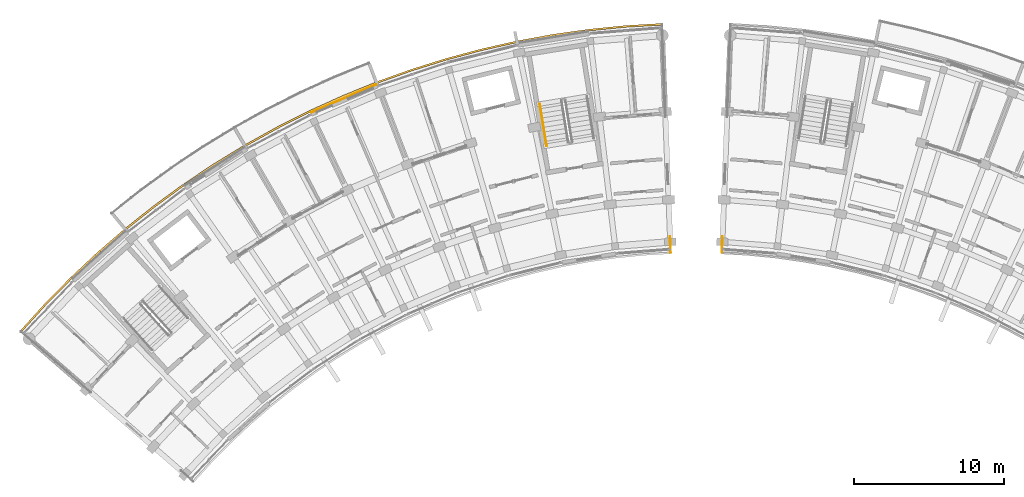
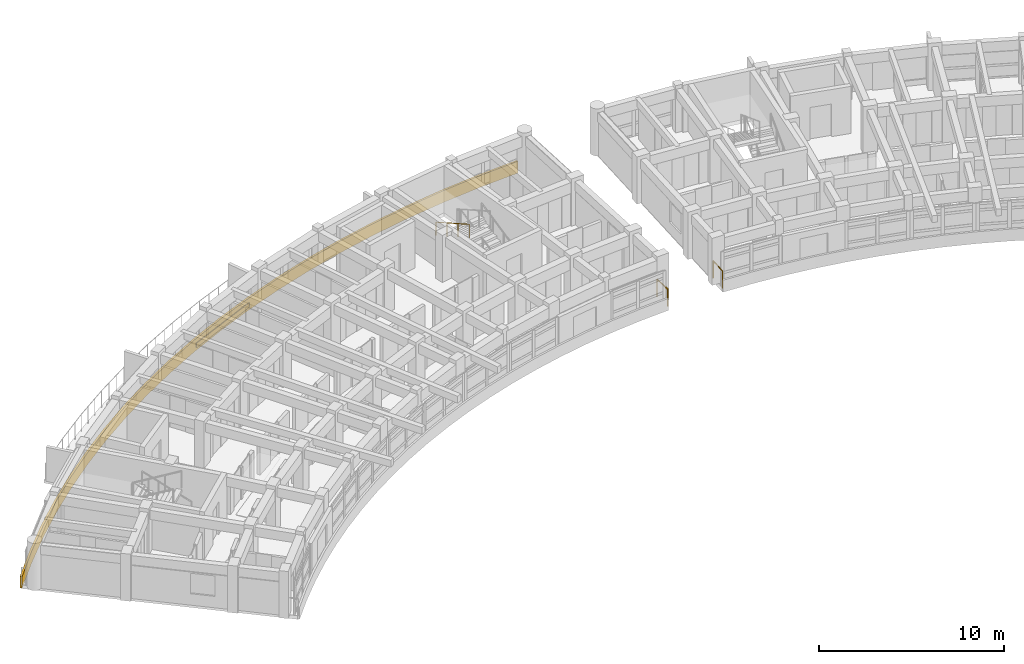
# One storey, part 43 of 54: 4 railings, 1 covering.
"""IFC4 building model written with IfcOpenShell, lengths in metres."""

import ifcopenshell
import ifcopenshell.guid

model = None  # the IFC model being written
_history = None  # IfcOwnerHistory: only IFC2X3 demands one
_inside = {}  # id of a spatial element -> (the spatial element, [elements in it])
_under = {}  # id of a project, library or spatial element -> (it, [spatial elements below it])
_declared = {}  # id of a project -> (the project, [libraries it declares])
_typed = {}  # id of a type object -> (the type object, [elements of that type])
_made_of = {}  # id of a material, layer set ... -> (it, [elements and type objects made of it])


def new_model(schema):
    """Start an empty IFC model of exactly this schema.

    Asked for "IFC4X3", IfcOpenShell would pick the latest addendum, in which some entities
    have other attributes; the version numbers below select the first issue.
    IFC2X3 requires an IfcOwnerHistory on every rooted entity: one is made here for all.
    """
    global model, _history
    if schema == "IFC4X3":
        model = ifcopenshell.file(schema_version=(4, 3, 0, 0))
    else:
        model = ifcopenshell.file(schema=schema)
    _inside.clear()
    _under.clear()
    _declared.clear()
    _typed.clear()
    _made_of.clear()
    _history = None
    if model.schema == "IFC2X3":
        org = make("IfcOrganization", Name="unknown")
        user = make(
            "IfcPersonAndOrganization",
            ThePerson=make("IfcPerson", FamilyName="unknown"),
            TheOrganization=org,
        )
        app = make(
            "IfcApplication",
            ApplicationDeveloper=org,
            Version="unknown",
            ApplicationFullName="unknown",
            ApplicationIdentifier="unknown",
        )
        _history = make(
            "IfcOwnerHistory",
            OwningUser=user,
            OwningApplication=app,
            ChangeAction="ADDED",
            CreationDate=0,
        )
    return model


def make(cls, **values):
    """One entity of the class cls with the attributes given. An attribute that is None is left unset."""
    return model.create_entity(
        cls, **{name: value for name, value in values.items() if value is not None}
    )


def rooted(cls, **values):
    """An entity with a GlobalId (a new one), such as an element, a storey or a relation."""
    return make(cls, GlobalId=ifcopenshell.guid.new(), OwnerHistory=_history, **values)


def si_unit(unit_type, name, prefix=None):
    """IfcSIUnit, for example si_unit("LENGTHUNIT", "METRE", prefix="MILLI")."""
    return make("IfcSIUnit", UnitType=unit_type, Prefix=prefix, Name=name)


def assignment(units):
    """IfcUnitAssignment: the units of a project."""
    return None if units is None else make("IfcUnitAssignment", Units=units)


def point(xyz):
    """IfcCartesianPoint."""
    return None if xyz is None else make("IfcCartesianPoint", Coordinates=xyz)


def direction(xyz):
    """IfcDirection."""
    return None if xyz is None else make("IfcDirection", DirectionRatios=xyz)


def frame(location, z_axis=None, x_axis=None):
    """IfcAxis2Placement3D, a coordinate frame: its origin and axes. An axis left out is left unset."""
    return make(
        "IfcAxis2Placement3D",
        Location=point(location),
        Axis=direction(z_axis),
        RefDirection=direction(x_axis),
    )


def frame_2d(location, x_axis=None):
    """IfcAxis2Placement2D, a coordinate frame in the plane: its origin and x axis."""
    return make(
        "IfcAxis2Placement2D", Location=point(location), RefDirection=direction(x_axis)
    )


def origin():
    """The frame at (0, 0, 0) with its axes left unset."""
    return frame((0.0, 0.0, 0.0))


def origin_2d():
    """The frame at (0, 0) in the plane with its x axis left unset."""
    return frame_2d((0.0, 0.0))


def place(relative_to, where):
    """IfcLocalPlacement: puts the frame where relative to a parent placement (None: the world)."""
    return make(
        "IfcLocalPlacement", PlacementRelTo=relative_to, RelativePlacement=where
    )


def context(
    kind, dimensions, precision=None, world=None, true_north=None, identifier=None
):
    """IfcGeometricRepresentationContext, for example the 3D "Model" context."""
    return make(
        "IfcGeometricRepresentationContext",
        ContextIdentifier=identifier,
        ContextType=kind,
        CoordinateSpaceDimension=dimensions,
        Precision=precision,
        WorldCoordinateSystem=world,
        TrueNorth=true_north,
    )


def subcontext(parent, identifier, kind, view, scale=None):
    """IfcGeometricRepresentationSubContext, for example "Body" below "Model"."""
    return make(
        "IfcGeometricRepresentationSubContext",
        ContextIdentifier=identifier,
        ContextType=kind,
        ParentContext=parent,
        TargetScale=scale,
        TargetView=view,
    )


def project(units=None, contexts=None):
    """IfcProject with its units and contexts."""
    return rooted(
        "IfcProject",
        Name="project",
        RepresentationContexts=contexts,
        UnitsInContext=assignment(units),
    )


def spatial(cls, under=None, at=None, **own):
    """A site, building, storey or space (cls), placed at a placement, below another one or the project."""
    s = rooted(cls, ObjectPlacement=at, **own)
    if under is not None:
        _under.setdefault(under.id(), (under, []))[1].append(s)
    return s


def polyline(points):
    """IfcPolyline through the points."""
    return make("IfcPolyline", Points=[point(p) for p in points])


def profile(cls, at=None, kind="AREA", **sizes):
    """A parametric profile (cls). Its sizes go by their IFC names, for example OverallWidth=200.0."""
    return make(cls, ProfileType=kind, Position=at, **sizes)


def rectangle(**sizes):
    """IfcRectangleProfileDef."""
    return profile("IfcRectangleProfileDef", **sizes)


def circle(**sizes):
    """IfcCircleProfileDef."""
    return profile("IfcCircleProfileDef", **sizes)


def outline(outer, holes=None, kind="AREA"):
    """IfcArbitraryClosedProfileDef: a profile drawn as a closed curve; with holes, ...WithVoids."""
    if holes is None:
        return make("IfcArbitraryClosedProfileDef", ProfileType=kind, OuterCurve=outer)
    return make(
        "IfcArbitraryProfileDefWithVoids",
        ProfileType=kind,
        OuterCurve=outer,
        InnerCurves=holes,
    )


def extrude(swept, where, along, depth):
    """IfcExtrudedAreaSolid: the profile swept, set in the frame where, extruded along a direction by depth."""
    return make(
        "IfcExtrudedAreaSolid",
        SweptArea=swept,
        Position=where,
        ExtrudedDirection=direction(along),
        Depth=depth,
    )


def shape(context_of_items, identifier, shape_type, items):
    """IfcShapeRepresentation: the items that make up one representation, for example the "Body"."""
    return make(
        "IfcShapeRepresentation",
        ContextOfItems=context_of_items,
        RepresentationIdentifier=identifier,
        RepresentationType=shape_type,
        Items=items,
    )


def material(Name=None, Category=None):
    """IfcMaterial."""
    return make("IfcMaterial", Name=Name, Category=Category)


def layer(
    of_material, thickness, ventilated=None, Name=None, Category=None, Priority=None
):
    """IfcMaterialLayer: one layer of a wall or slab, of a material (None: an air gap)."""
    return make(
        "IfcMaterialLayer",
        Material=of_material,
        LayerThickness=thickness,
        IsVentilated=ventilated,
        Name=Name,
        Category=Category,
        Priority=Priority,
    )


def layer_set(layers, Name=None):
    """IfcMaterialLayerSet."""
    return make("IfcMaterialLayerSet", MaterialLayers=layers, LayerSetName=Name)


def made_of(thing, what):
    """Note that an element or type object is made of a material, layer set ...; save() writes the relation."""
    if what is not None:
        _made_of.setdefault(what.id(), (what, []))[1].append(thing)
    return thing


def type_object(cls, material=None, **own):
    """A type object (cls), such as IfcWallType, which elements share."""
    return made_of(rooted(cls, **own), material)


def element(
    cls,
    number,
    at=None,
    inside=None,
    cuts=None,
    type_object=None,
    material=None,
    context=None,
    identifier="Body",
    shape_type=None,
    held_by="IfcProductDefinitionShape",
    body=None,
    shapes=None,
    **own,
):
    """One element of the class cls, such as IfcWall. Its Tag is "e" and its number.

    at: its placement. inside: the storey or other place that contains it. cuts: it is an
    opening in that element (IfcRelVoidsElement). A single representation is given by context,
    identifier, shape_type and body (its items); several are given by shapes. held_by: the class
    of the entity that holds the representations. save() writes the other relations.
    """
    e = rooted(cls, Tag="e%d" % number, ObjectPlacement=at, **own)
    if body is not None:
        shapes = [shape(context, identifier, shape_type, body)]
    if shapes is not None:
        e.Representation = make(held_by, Representations=shapes)
    if inside is not None:
        _inside.setdefault(inside.id(), (inside, []))[1].append(e)
    if cuts is not None:
        rooted(
            "IfcRelVoidsElement", RelatingBuildingElement=cuts, RelatedOpeningElement=e
        )
    if type_object is not None:
        _typed.setdefault(type_object.id(), (type_object, []))[1].append(e)
    return made_of(e, material)


def aggregate(whole, parts):
    """IfcRelAggregates: a whole, such as a stair, and the parts it consists of."""
    return rooted("IfcRelAggregates", RelatingObject=whole, RelatedObjects=parts)


def save(model, path):
    """Write the relations noted so far, then the file.

    IfcRelAggregates (storeys below a building ...), IfcRelContainedInSpatialStructure (elements
    in a storey), IfcRelDefinesByType, IfcRelAssociatesMaterial and IfcRelDeclares: one each for
    every whole, place, type object, material and project.
    """
    for whole, parts in _under.values():
        aggregate(whole, parts)
    for where, things in _inside.values():
        rooted(
            "IfcRelContainedInSpatialStructure",
            RelatedElements=things,
            RelatingStructure=where,
        )
    for kind, things in _typed.values():
        rooted("IfcRelDefinesByType", RelatedObjects=things, RelatingType=kind)
    for what, things in _made_of.values():
        rooted("IfcRelAssociatesMaterial", RelatedObjects=things, RelatingMaterial=what)
    for by, libraries in _declared.values():
        rooted("IfcRelDeclares", RelatingContext=by, RelatedDefinitions=libraries)
    model.write(path)


model = new_model("IFC4")

# Units and contexts
model_context = context("Model", 3, precision=1e-05, world=origin(), true_north=direction((0.0, 1.0)))
body_context = subcontext(model_context, "Body", "Model", "MODEL_VIEW")
ifc_project = project(units=[si_unit("LENGTHUNIT", "METRE"), si_unit("AREAUNIT", "SQUARE_METRE"), si_unit("VOLUMEUNIT", "CUBIC_METRE"), si_unit("PLANEANGLEUNIT", "RADIAN"), si_unit("MASSUNIT", "GRAM", prefix="KILO")], contexts=[model_context])

# Site, building, storey
site_placement = place(None, origin())
site = spatial("IfcSite", under=ifc_project, at=site_placement, CompositionType="ELEMENT")
building_placement = place(site_placement, origin())
building = spatial("IfcBuilding", under=site, at=building_placement, Name="Zimvara Arc Housing Community", CompositionType="ELEMENT")
storey_placement = place(building_placement, frame((0.0, 0.0, 20.5)))
storey = spatial("IfcBuildingStorey", under=building, at=storey_placement, Name="L06", CompositionType="ELEMENT", Elevation=20.5)

# Covering
ifc_material_1 = material(Name="Pale-Gold Anodised Aluminium Cladding", Category="aluminium")
ifc_layer = layer(ifc_material_1, 0.044921875)
ifc_layer_set = layer_set([ifc_layer], Name="Pale-Gold Anodised Aluminium Cladding")
covering_type = type_object("IfcCoveringType", Name="CLD-GOLD-02", PredefinedType="CLADDING", material=ifc_layer_set)
covering_placement = place(storey_placement, frame((21.5166015625, 99.1328125, 0.009765625), z_axis=(0.0, 0.0, 1.0), x_axis=(0.918721611116, 0.394905813161, 0.0)))
element("IfcCovering", 1, at=covering_placement, inside=storey, type_object=covering_type, Name="cld:blkA:L06:out:b5", PredefinedType="CLADDING", context=body_context, shape_type="SweptSolid", body=[
    extrude(rectangle(XDim=4.748779296875, YDim=0.044921875, at=origin_2d()), origin(), (0.0, 0.0, 1.0), 0.300048828125),
])

# Railings
ifc_material_2 = material(Name="Anodised Aluminium AW-6063", Category="aluminium")
railing_type_1 = type_object("IfcRailingType", Name="RLG-BAL-1150", PredefinedType="BALUSTRADE", material=ifc_material_2)
railing_1_placement = place(storey_placement, frame((43.295654296875, 88.8671875, 0.0)))
element("IfcRailing", 2, at=railing_1_placement, inside=storey, type_object=railing_type_1, Name="rlg:blkA:L06:gable_in:gN", PredefinedType="BALUSTRADE", context=body_context, shape_type="SweptSolid", body=[
    extrude(circle(Radius=0.02392578125, at=origin_2d()), frame((0.0, 0.0, 1.1259765625), z_axis=(-0.038424441628, 0.999261508458, 0.0), x_axis=(-0.999261508458, -0.038424441628, 0.0)), (0.0, 0.0, 1.0), 1.080078125),
    extrude(circle(Radius=0.02099609375, at=origin_2d()), origin(), (0.0, 0.0, 1.0), 1.101806640625),
    extrude(circle(Radius=0.02099609375, at=origin_2d()), frame((-0.04150390625, 1.079345703125, 0.0)), (0.0, 0.0, 1.0), 1.101806640625),
])
railing_2_placement = place(storey_placement, frame((46.704345703125, 88.8671875, 0.0)))
element("IfcRailing", 3, at=railing_2_placement, inside=storey, type_object=railing_type_1, Name="rlg:blkB:L06:gable_in:g0", PredefinedType="BALUSTRADE", context=body_context, shape_type="SweptSolid", body=[
    extrude(circle(Radius=0.02392578125, at=origin_2d()), frame((0.0, 0.0, 1.1259765625), z_axis=(0.038424441628, 0.999261508458, 0.0), x_axis=(-0.999261508458, 0.038424441628, 0.0)), (0.0, 0.0, 1.0), 1.080078125),
    extrude(circle(Radius=0.02099609375, at=origin_2d()), origin(), (0.0, 0.0, 1.0), 1.101806640625),
    extrude(circle(Radius=0.02099609375, at=origin_2d()), frame((0.04150390625, 1.079345703125, 0.0)), (0.0, 0.0, 1.0), 1.101806640625),
])
ifc_material_3 = material(Name="Pale-Gold Anodised Aluminium AW-6063", Category="aluminium")
railing_type_2 = type_object("IfcRailingType", Name="RLG-FAS-780", PredefinedType="BALUSTRADE", material=ifc_material_3)
railing_3_placement = place(storey_placement, frame((0.0, 0.0, -0.219970703125)))
element("IfcRailing", 4, at=railing_3_placement, inside=storey, type_object=railing_type_2, Name="rlg:blkA:L06:gold_out", PredefinedType="BALUSTRADE", context=body_context, shape_type="SweptSolid", body=[
    extrude(outline(polyline([(0.049560546875, 83.574951171875), (1.682373046875, 85.377685546875), (3.387451171875, 87.112060546875), (5.162109375, 88.775634765625), (7.0029296875, 90.365234375), (8.9072265625, 91.87841796875), (10.871826171875, 93.3125), (12.893310546875, 94.665283203125), (14.96826171875, 95.934326171875), (17.09326171875, 97.11767578125), (19.264892578125, 98.213134765625), (21.4794921875, 99.218994140625), (23.733154296875, 100.1337890625), (26.0224609375, 100.955810546875), (28.34326171875, 101.68359375), (30.692138671875, 102.31591796875), (33.064453125, 102.851806640625), (35.45703125, 103.29052734375), (37.865234375, 103.631103515625), (40.28564453125, 103.873046875), (42.713623046875, 104.01611328125), (42.708984375, 104.135986328125), (40.276123046875, 103.99267578125), (37.850830078125, 103.750244140625), (35.437744140625, 103.408935546875), (33.04052734375, 102.969482421875), (30.6630859375, 102.432373046875), (28.309814453125, 101.798583984375), (25.984375, 101.069580078125), (23.6904296875, 100.245849609375), (21.43212890625, 99.329345703125), (19.213134765625, 98.3212890625), (17.037109375, 97.2236328125), (14.90771484375, 96.037841796875), (12.82861328125, 94.766357421875), (10.802978515625, 93.410888671875), (8.834716796875, 91.973876953125), (6.926513671875, 90.457763671875), (5.081787109375, 88.86474609375), (3.3037109375, 87.197998046875), (1.59521484375, 85.4599609375), (-0.041015625, 83.653564453125), (0.049560546875, 83.574951171875)])), origin(), (0.0, 0.0, 1.0), 0.780029296875),
])
ifc_material_4 = material(Name="Anodised Aluminium AW-6063", Category="aluminium")
railing_type_3 = type_object("IfcRailingType", Name="RLG-HND-900", PredefinedType="HANDRAIL", material=ifc_material_4)
railing_4_placement = place(storey_placement, frame((34.58056640625, 98.7666015625, 1.705078125)))
element("IfcRailing", 5, at=railing_4_placement, inside=storey, type_object=railing_type_3, Name="L06 ST-A2 stair handrail 2", PredefinedType="HANDRAIL", context=body_context, shape_type="SweptSolid", body=[
    extrude(circle(Radius=0.02392578125, at=origin_2d()), frame((0.0, 0.0, 0.8759765625), z_axis=(0.143721784145, -0.885666177347, 0.441519502474), x_axis=(0.987087819028, 0.160180016, 0.0)), (0.0, 0.0, 1.0), 3.15966796875),
    extrude(circle(Radius=0.02099609375, at=origin_2d()), origin(), (0.0, 0.0, 1.0), 0.851806640625),
    extrude(circle(Radius=0.02099609375, at=origin_2d()), frame((0.1513671875, -0.932861328125, 0.465087890625)), (0.0, 0.0, 1.0), 0.851806640625),
    extrude(circle(Radius=0.02099609375, at=origin_2d()), frame((0.302734375, -1.865478515625, 0.929931640625)), (0.0, 0.0, 1.0), 0.851806640625),
    extrude(circle(Radius=0.02099609375, at=origin_2d()), frame((0.4541015625, -2.79833984375, 1.39501953125)), (0.0, 0.0, 1.0), 0.851806640625),
])

save(model, "model.ifc")
